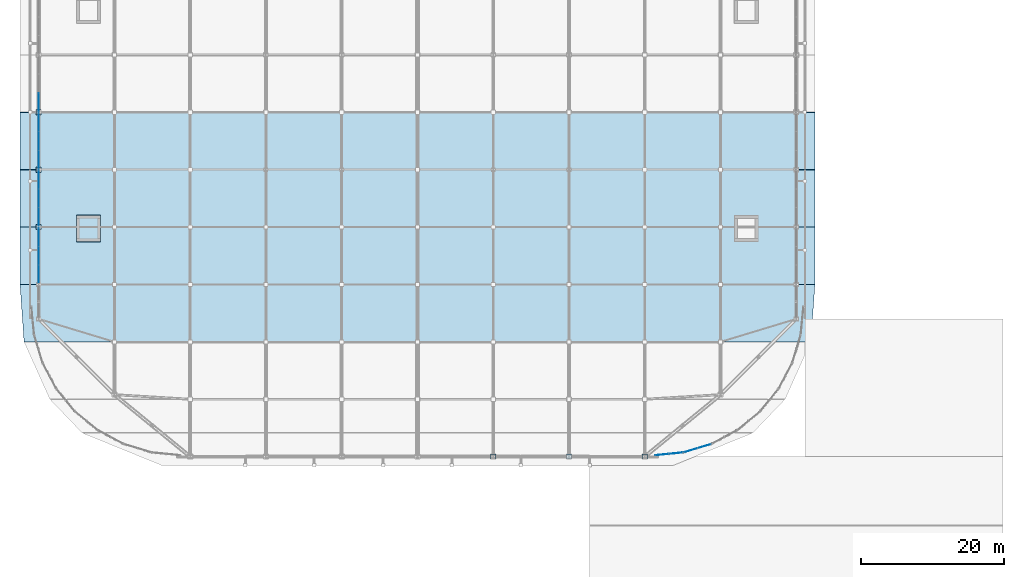
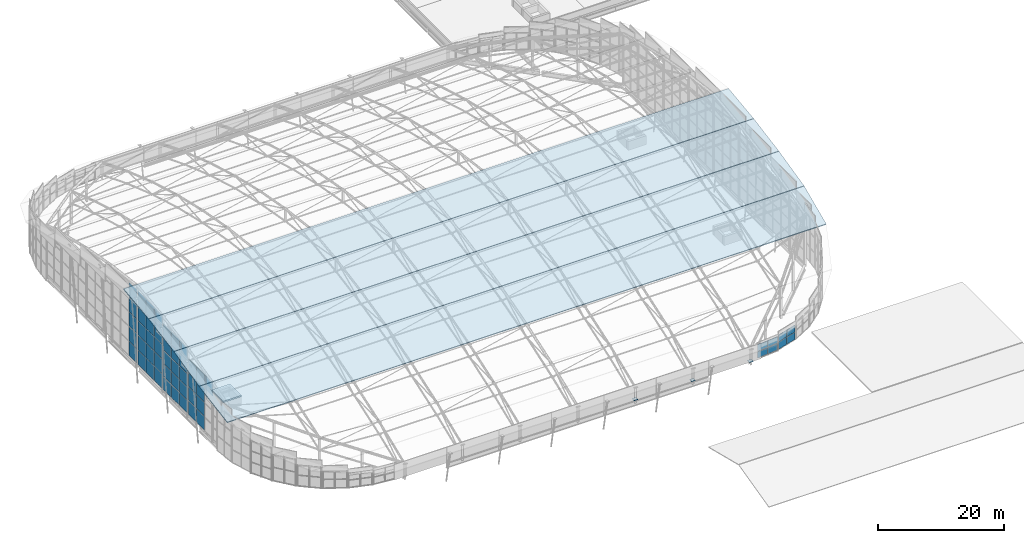
# One storey, part 33 of 42: 58 plates, 5 slabs, 7 elements without a shape of their own.
"""IFC4 building model written with IfcOpenShell, lengths in metres."""

from ifc_helpers import new_model, si_unit, direction, frame, origin, origin_2d, place, context, subcontext, project, spatial, polyline, rectangle, outline, extrude, material, layer, layer_set, type_object, element, aggregate, save


model = new_model("IFC4")

# Units and contexts
model_context = context("Model", 3, precision=1e-05, world=origin(), true_north=direction((0.0, 1.0)))
body_context = subcontext(model_context, "Body", "Model", "MODEL_VIEW")
ifc_project = project(units=[si_unit("LENGTHUNIT", "METRE"), si_unit("AREAUNIT", "SQUARE_METRE"), si_unit("VOLUMEUNIT", "CUBIC_METRE"), si_unit("PLANEANGLEUNIT", "RADIAN"), si_unit("MASSUNIT", "GRAM", prefix="KILO")], contexts=[model_context])

# Site, building, storey
site_placement = place(None, origin())
site = spatial("IfcSite", under=ifc_project, at=site_placement, CompositionType="ELEMENT")
building_placement = place(site_placement, origin())
building = spatial("IfcBuilding", under=site, at=building_placement, Name="Caelomonte Colonnade Arena", CompositionType="ELEMENT")
storey_placement = place(building_placement, frame((0.0, 0.0, 28.199951171875)))
storey = spatial("IfcBuildingStorey", under=building, at=storey_placement, Name="RF", CompositionType="ELEMENT", Elevation=28.199951171875)

# Curtain wall, plates
ifc_material_1 = material(Name="Bronze anodised aluminium and low-E glazing", Category="aluminium")
ifc_layer_1 = layer(ifc_material_1, 0.179931640625)
ifc_layer_set_1 = layer_set([ifc_layer_1], Name="Bronze anodised aluminium and low-E glazing")
curtain_wall_type_1 = type_object("IfcCurtainWallType", Name="ENV-CW-CW-TYMP-02", PredefinedType="USERDEFINED", material=ifc_layer_set_1)
curtain_wall_1_placement = place(storey_placement, origin())
curtain_wall_1 = element("IfcCurtainWall", 1, at=curtain_wall_1_placement, inside=storey, type_object=curtain_wall_type_1, Name="Barrel arch W clerestory tympanum curtain wall 2", ObjectType="UNITIZED CURTAIN WALL", PredefinedType="USERDEFINED")
ifc_material_2 = material(Name="Solar-control bronze low-E double glazing", Category="glass")
ifc_layer_2 = layer(ifc_material_2, 0.035888671875)
ifc_layer_set_2 = layer_set([ifc_layer_2], Name="Solar-control bronze low-E double glazing")
plate_type_1 = type_object("IfcPlateType", Name="ENV-CW-PAN36", PredefinedType="CURTAIN_PANEL", material=ifc_layer_set_2)
plate_1_placement = place(storey_placement, frame((57.60009765625, 49.7958984375, -0.079833984375), z_axis=(0.0, 0.0, 1.0), x_axis=(0.0, -1.0, 0.0)))
plate_1 = element("IfcPlate", 2, at=plate_1_placement, type_object=plate_type_1, Name="CW-TYMP-02 panel 1.1", PredefinedType="CURTAIN_PANEL", context=body_context, shape_type="SweptSolid", body=[
    extrude(rectangle(XDim=2.50830078125, YDim=0.035888671875, at=origin_2d()), origin(), (0.0, 0.0, 1.0), 2.63330078125),
])
plate_2_placement = place(storey_placement, frame((57.60009765625, 49.7958984375, 2.62353515625), z_axis=(0.0, 0.0, 1.0), x_axis=(0.0, -1.0, 0.0)))
plate_2 = element("IfcPlate", 3, at=plate_2_placement, type_object=plate_type_1, Name="CW-TYMP-02 panel 1.2", PredefinedType="CURTAIN_PANEL", context=body_context, shape_type="SweptSolid", body=[
    extrude(rectangle(XDim=2.50830078125, YDim=0.035888671875, at=origin_2d()), origin(), (0.0, 0.0, 1.0), 2.668212890625),
])
plate_3_placement = place(storey_placement, frame((57.60009765625, 49.7958984375, 5.361328125), z_axis=(0.0, 0.0, 1.0), x_axis=(0.0, -1.0, 0.0)))
plate_3 = element("IfcPlate", 4, at=plate_3_placement, type_object=plate_type_1, Name="CW-TYMP-02 panel 1.3", PredefinedType="CURTAIN_PANEL", context=body_context, shape_type="SweptSolid", body=[
    extrude(rectangle(XDim=2.50830078125, YDim=0.035888671875, at=origin_2d()), origin(), (0.0, 0.0, 1.0), 2.668212890625),
])
plate_4_placement = place(storey_placement, frame((57.60009765625, 49.7958984375, 8.099853515625), z_axis=(0.0, 0.0, 1.0), x_axis=(0.0, -1.0, 0.0)))
plate_4 = element("IfcPlate", 5, at=plate_4_placement, type_object=plate_type_1, Name="CW-TYMP-02 panel 1.4", PredefinedType="CURTAIN_PANEL", context=body_context, shape_type="SweptSolid", body=[
    extrude(rectangle(XDim=2.50830078125, YDim=0.035888671875, at=origin_2d()), origin(), (0.0, 0.0, 1.0), 2.63330078125),
])
plate_5_placement = place(storey_placement, frame((57.60009765625, 47.199951171875, -0.079833984375), z_axis=(0.0, 0.0, 1.0), x_axis=(0.0, -1.0, 0.0)))
plate_5 = element("IfcPlate", 6, at=plate_5_placement, type_object=plate_type_1, Name="CW-TYMP-02 panel 2.1", PredefinedType="CURTAIN_PANEL", context=body_context, shape_type="SweptSolid", body=[
    extrude(rectangle(XDim=2.543212890625, YDim=0.035888671875, at=origin_2d()), origin(), (0.0, 0.0, 1.0), 2.63330078125),
])
plate_6_placement = place(storey_placement, frame((57.60009765625, 47.199951171875, 2.62353515625), z_axis=(0.0, 0.0, 1.0), x_axis=(0.0, -1.0, 0.0)))
plate_6 = element("IfcPlate", 7, at=plate_6_placement, type_object=plate_type_1, Name="CW-TYMP-02 panel 2.2", PredefinedType="CURTAIN_PANEL", context=body_context, shape_type="SweptSolid", body=[
    extrude(rectangle(XDim=2.543212890625, YDim=0.035888671875, at=origin_2d()), origin(), (0.0, 0.0, 1.0), 2.668212890625),
])
plate_7_placement = place(storey_placement, frame((57.60009765625, 47.199951171875, 5.361328125), z_axis=(0.0, 0.0, 1.0), x_axis=(0.0, -1.0, 0.0)))
plate_7 = element("IfcPlate", 8, at=plate_7_placement, type_object=plate_type_1, Name="CW-TYMP-02 panel 2.3", PredefinedType="CURTAIN_PANEL", context=body_context, shape_type="SweptSolid", body=[
    extrude(rectangle(XDim=2.543212890625, YDim=0.035888671875, at=origin_2d()), origin(), (0.0, 0.0, 1.0), 2.668212890625),
])
plate_8_placement = place(storey_placement, frame((57.60009765625, 47.199951171875, 8.099853515625), z_axis=(0.0, 0.0, 1.0), x_axis=(0.0, -1.0, 0.0)))
plate_8 = element("IfcPlate", 9, at=plate_8_placement, type_object=plate_type_1, Name="CW-TYMP-02 panel 2.4", PredefinedType="CURTAIN_PANEL", context=body_context, shape_type="SweptSolid", body=[
    extrude(rectangle(XDim=2.543212890625, YDim=0.035888671875, at=origin_2d()), origin(), (0.0, 0.0, 1.0), 2.63330078125),
])
plate_9_placement = place(storey_placement, frame((57.60009765625, 44.604248046875, 8.099853515625), z_axis=(0.0, 0.0, 1.0), x_axis=(0.0, -1.0, 0.0)))
plate_9 = element("IfcPlate", 10, at=plate_9_placement, type_object=plate_type_1, Name="CW-TYMP-02 panel 3.4", PredefinedType="CURTAIN_PANEL", context=body_context, shape_type="SweptSolid", body=[
    extrude(rectangle(XDim=2.50830078125, YDim=0.035888671875, at=origin_2d()), origin(), (0.0, 0.0, 1.0), 2.63330078125),
])
aggregate(curtain_wall_1, [plate_1, plate_2, plate_3, plate_4, plate_5, plate_6, plate_7, plate_8, plate_9])

ifc_layer_3 = layer(ifc_material_1, 0.179931640625)
ifc_layer_set_3 = layer_set([ifc_layer_3], Name="Bronze anodised aluminium and low-E glazing")
curtain_wall_type_2 = type_object("IfcCurtainWallType", Name="ENV-CW-CW-TYMP-03", PredefinedType="USERDEFINED", material=ifc_layer_set_3)
curtain_wall_2_placement = place(storey_placement, origin())
curtain_wall_2 = element("IfcCurtainWall", 11, at=curtain_wall_2_placement, inside=storey, type_object=curtain_wall_type_2, Name="Barrel arch W clerestory tympanum curtain wall 3", ObjectType="UNITIZED CURTAIN WALL", PredefinedType="USERDEFINED")
plate_10_placement = place(storey_placement, frame((57.60009765625, 57.7958984375, -0.080078125), z_axis=(0.0, 0.0, 1.0), x_axis=(0.0, -1.0, 0.0)))
plate_10 = element("IfcPlate", 12, at=plate_10_placement, type_object=plate_type_1, Name="CW-TYMP-03 panel 1.1", PredefinedType="CURTAIN_PANEL", context=body_context, shape_type="SweptSolid", body=[
    extrude(rectangle(XDim=2.50830078125, YDim=0.035888671875, at=origin_2d()), origin(), (0.0, 0.0, 1.0), 2.462158203125),
])
plate_11_placement = place(storey_placement, frame((57.60009765625, 57.7958984375, 2.4521484375), z_axis=(0.0, 0.0, 1.0), x_axis=(0.0, -1.0, 0.0)))
plate_11 = element("IfcPlate", 13, at=plate_11_placement, type_object=plate_type_1, Name="CW-TYMP-03 panel 1.2", PredefinedType="CURTAIN_PANEL", context=body_context, shape_type="SweptSolid", body=[
    extrude(rectangle(XDim=2.50830078125, YDim=0.035888671875, at=origin_2d()), origin(), (0.0, 0.0, 1.0), 2.497314453125),
])
plate_12_placement = place(storey_placement, frame((57.60009765625, 57.7958984375, 5.01953125), z_axis=(0.0, 0.0, 1.0), x_axis=(0.0, -1.0, 0.0)))
plate_12 = element("IfcPlate", 14, at=plate_12_placement, type_object=plate_type_1, Name="CW-TYMP-03 panel 1.3", PredefinedType="CURTAIN_PANEL", context=body_context, shape_type="SweptSolid", body=[
    extrude(rectangle(XDim=2.50830078125, YDim=0.035888671875, at=origin_2d()), origin(), (0.0, 0.0, 1.0), 2.497314453125),
])
plate_13_placement = place(storey_placement, frame((57.60009765625, 57.7958984375, 7.58642578125), z_axis=(0.0, 0.0, 1.0), x_axis=(0.0, -1.0, 0.0)))
plate_13 = element("IfcPlate", 15, at=plate_13_placement, type_object=plate_type_1, Name="CW-TYMP-03 panel 1.4", PredefinedType="CURTAIN_PANEL", context=body_context, shape_type="SweptSolid", body=[
    extrude(rectangle(XDim=2.50830078125, YDim=0.035888671875, at=origin_2d()), origin(), (0.0, 0.0, 1.0), 2.497314453125),
])
plate_14_placement = place(storey_placement, frame((57.60009765625, 57.7958984375, 10.15380859375), z_axis=(0.0, 0.0, 1.0), x_axis=(0.0, -1.0, 0.0)))
plate_14 = element("IfcPlate", 16, at=plate_14_placement, type_object=plate_type_1, Name="CW-TYMP-03 panel 1.5", PredefinedType="CURTAIN_PANEL", context=body_context, shape_type="SweptSolid", body=[
    extrude(rectangle(XDim=2.50830078125, YDim=0.035888671875, at=origin_2d()), origin(), (0.0, 0.0, 1.0), 2.462158203125),
])
plate_15_placement = place(storey_placement, frame((57.60009765625, 55.199951171875, -0.080078125), z_axis=(0.0, 0.0, 1.0), x_axis=(0.0, -1.0, 0.0)))
plate_15 = element("IfcPlate", 17, at=plate_15_placement, type_object=plate_type_1, Name="CW-TYMP-03 panel 2.1", PredefinedType="CURTAIN_PANEL", context=body_context, shape_type="SweptSolid", body=[
    extrude(rectangle(XDim=2.543212890625, YDim=0.035888671875, at=origin_2d()), origin(), (0.0, 0.0, 1.0), 2.462158203125),
])
plate_16_placement = place(storey_placement, frame((57.60009765625, 55.199951171875, 2.4521484375), z_axis=(0.0, 0.0, 1.0), x_axis=(0.0, -1.0, 0.0)))
plate_16 = element("IfcPlate", 18, at=plate_16_placement, type_object=plate_type_1, Name="CW-TYMP-03 panel 2.2", PredefinedType="CURTAIN_PANEL", context=body_context, shape_type="SweptSolid", body=[
    extrude(rectangle(XDim=2.543212890625, YDim=0.035888671875, at=origin_2d()), origin(), (0.0, 0.0, 1.0), 2.497314453125),
])
plate_17_placement = place(storey_placement, frame((57.60009765625, 55.199951171875, 5.01953125), z_axis=(0.0, 0.0, 1.0), x_axis=(0.0, -1.0, 0.0)))
plate_17 = element("IfcPlate", 19, at=plate_17_placement, type_object=plate_type_1, Name="CW-TYMP-03 panel 2.3", PredefinedType="CURTAIN_PANEL", context=body_context, shape_type="SweptSolid", body=[
    extrude(rectangle(XDim=2.543212890625, YDim=0.035888671875, at=origin_2d()), origin(), (0.0, 0.0, 1.0), 2.497314453125),
])
plate_18_placement = place(storey_placement, frame((57.60009765625, 55.199951171875, 7.58642578125), z_axis=(0.0, 0.0, 1.0), x_axis=(0.0, -1.0, 0.0)))
plate_18 = element("IfcPlate", 20, at=plate_18_placement, type_object=plate_type_1, Name="CW-TYMP-03 panel 2.4", PredefinedType="CURTAIN_PANEL", context=body_context, shape_type="SweptSolid", body=[
    extrude(rectangle(XDim=2.543212890625, YDim=0.035888671875, at=origin_2d()), origin(), (0.0, 0.0, 1.0), 2.497314453125),
])
plate_19_placement = place(storey_placement, frame((57.60009765625, 55.199951171875, 10.15380859375), z_axis=(0.0, 0.0, 1.0), x_axis=(0.0, -1.0, 0.0)))
plate_19 = element("IfcPlate", 21, at=plate_19_placement, type_object=plate_type_1, Name="CW-TYMP-03 panel 2.5", PredefinedType="CURTAIN_PANEL", context=body_context, shape_type="SweptSolid", body=[
    extrude(rectangle(XDim=2.543212890625, YDim=0.035888671875, at=origin_2d()), origin(), (0.0, 0.0, 1.0), 2.462158203125),
])
plate_20_placement = place(storey_placement, frame((57.60009765625, 52.604248046875, -0.080078125), z_axis=(0.0, 0.0, 1.0), x_axis=(0.0, -1.0, 0.0)))
plate_20 = element("IfcPlate", 22, at=plate_20_placement, type_object=plate_type_1, Name="CW-TYMP-03 panel 3.1", PredefinedType="CURTAIN_PANEL", context=body_context, shape_type="SweptSolid", body=[
    extrude(rectangle(XDim=2.50830078125, YDim=0.035888671875, at=origin_2d()), origin(), (0.0, 0.0, 1.0), 2.462158203125),
])
plate_21_placement = place(storey_placement, frame((57.60009765625, 52.604248046875, 2.4521484375), z_axis=(0.0, 0.0, 1.0), x_axis=(0.0, -1.0, 0.0)))
plate_21 = element("IfcPlate", 23, at=plate_21_placement, type_object=plate_type_1, Name="CW-TYMP-03 panel 3.2", PredefinedType="CURTAIN_PANEL", context=body_context, shape_type="SweptSolid", body=[
    extrude(rectangle(XDim=2.50830078125, YDim=0.035888671875, at=origin_2d()), origin(), (0.0, 0.0, 1.0), 2.497314453125),
])
plate_22_placement = place(storey_placement, frame((57.60009765625, 52.604248046875, 5.01953125), z_axis=(0.0, 0.0, 1.0), x_axis=(0.0, -1.0, 0.0)))
plate_22 = element("IfcPlate", 24, at=plate_22_placement, type_object=plate_type_1, Name="CW-TYMP-03 panel 3.3", PredefinedType="CURTAIN_PANEL", context=body_context, shape_type="SweptSolid", body=[
    extrude(rectangle(XDim=2.50830078125, YDim=0.035888671875, at=origin_2d()), origin(), (0.0, 0.0, 1.0), 2.497314453125),
])
plate_23_placement = place(storey_placement, frame((57.60009765625, 52.604248046875, 7.58642578125), z_axis=(0.0, 0.0, 1.0), x_axis=(0.0, -1.0, 0.0)))
plate_23 = element("IfcPlate", 25, at=plate_23_placement, type_object=plate_type_1, Name="CW-TYMP-03 panel 3.4", PredefinedType="CURTAIN_PANEL", context=body_context, shape_type="SweptSolid", body=[
    extrude(rectangle(XDim=2.50830078125, YDim=0.035888671875, at=origin_2d()), origin(), (0.0, 0.0, 1.0), 2.497314453125),
])
plate_24_placement = place(storey_placement, frame((57.60009765625, 52.604248046875, 10.15380859375), z_axis=(0.0, 0.0, 1.0), x_axis=(0.0, -1.0, 0.0)))
plate_24 = element("IfcPlate", 26, at=plate_24_placement, type_object=plate_type_1, Name="CW-TYMP-03 panel 3.5", PredefinedType="CURTAIN_PANEL", context=body_context, shape_type="SweptSolid", body=[
    extrude(rectangle(XDim=2.50830078125, YDim=0.035888671875, at=origin_2d()), origin(), (0.0, 0.0, 1.0), 2.462158203125),
])
aggregate(curtain_wall_2, [plate_10, plate_11, plate_12, plate_13, plate_14, plate_15, plate_16, plate_17, plate_18, plate_19, plate_20, plate_21, plate_22, plate_23, plate_24])

ifc_layer_4 = layer(ifc_material_1, 0.179931640625)
ifc_layer_set_4 = layer_set([ifc_layer_4], Name="Bronze anodised aluminium and low-E glazing")
curtain_wall_type_3 = type_object("IfcCurtainWallType", Name="ENV-CW-CW-TYMP-04", PredefinedType="USERDEFINED", material=ifc_layer_set_4)
curtain_wall_3_placement = place(storey_placement, origin())
curtain_wall_3 = element("IfcCurtainWall", 27, at=curtain_wall_3_placement, inside=storey, type_object=curtain_wall_type_3, Name="Barrel arch W clerestory tympanum curtain wall 4", ObjectType="UNITIZED CURTAIN WALL", PredefinedType="USERDEFINED")
plate_25_placement = place(storey_placement, frame((57.60009765625, 65.7958984375, -0.079833984375), z_axis=(0.0, 0.0, 1.0), x_axis=(0.0, -1.0, 0.0)))
plate_25 = element("IfcPlate", 28, at=plate_25_placement, type_object=plate_type_1, Name="CW-TYMP-04 panel 1.1", PredefinedType="CURTAIN_PANEL", context=body_context, shape_type="SweptSolid", body=[
    extrude(rectangle(XDim=2.50830078125, YDim=0.035888671875, at=origin_2d()), origin(), (0.0, 0.0, 1.0), 2.751953125),
])
plate_26_placement = place(storey_placement, frame((57.60009765625, 65.7958984375, 2.741943359375), z_axis=(0.0, 0.0, 1.0), x_axis=(0.0, -1.0, 0.0)))
plate_26 = element("IfcPlate", 29, at=plate_26_placement, type_object=plate_type_1, Name="CW-TYMP-04 panel 1.2", PredefinedType="CURTAIN_PANEL", context=body_context, shape_type="SweptSolid", body=[
    extrude(rectangle(XDim=2.50830078125, YDim=0.035888671875, at=origin_2d()), origin(), (0.0, 0.0, 1.0), 2.787109375),
])
plate_27_placement = place(storey_placement, frame((57.60009765625, 65.7958984375, 5.598876953125), z_axis=(0.0, 0.0, 1.0), x_axis=(0.0, -1.0, 0.0)))
plate_27 = element("IfcPlate", 30, at=plate_27_placement, type_object=plate_type_1, Name="CW-TYMP-04 panel 1.3", PredefinedType="CURTAIN_PANEL", context=body_context, shape_type="SweptSolid", body=[
    extrude(rectangle(XDim=2.50830078125, YDim=0.035888671875, at=origin_2d()), origin(), (0.0, 0.0, 1.0), 2.787109375),
])
plate_28_placement = place(storey_placement, frame((57.60009765625, 65.7958984375, 8.4560546875), z_axis=(0.0, 0.0, 1.0), x_axis=(0.0, -1.0, 0.0)))
plate_28 = element("IfcPlate", 31, at=plate_28_placement, type_object=plate_type_1, Name="CW-TYMP-04 panel 1.4", PredefinedType="CURTAIN_PANEL", context=body_context, shape_type="SweptSolid", body=[
    extrude(rectangle(XDim=2.50830078125, YDim=0.035888671875, at=origin_2d()), origin(), (0.0, 0.0, 1.0), 2.787109375),
])
plate_29_placement = place(storey_placement, frame((57.60009765625, 65.7958984375, 11.31298828125), z_axis=(0.0, 0.0, 1.0), x_axis=(0.0, -1.0, 0.0)))
plate_29 = element("IfcPlate", 32, at=plate_29_placement, type_object=plate_type_1, Name="CW-TYMP-04 panel 1.5", PredefinedType="CURTAIN_PANEL", context=body_context, shape_type="SweptSolid", body=[
    extrude(rectangle(XDim=2.50830078125, YDim=0.035888671875, at=origin_2d()), origin(), (0.0, 0.0, 1.0), 2.751953125),
])
plate_30_placement = place(storey_placement, frame((57.60009765625, 63.199951171875, -0.079833984375), z_axis=(0.0, 0.0, 1.0), x_axis=(0.0, -1.0, 0.0)))
plate_30 = element("IfcPlate", 33, at=plate_30_placement, type_object=plate_type_1, Name="CW-TYMP-04 panel 2.1", PredefinedType="CURTAIN_PANEL", context=body_context, shape_type="SweptSolid", body=[
    extrude(rectangle(XDim=2.543212890625, YDim=0.035888671875, at=origin_2d()), origin(), (0.0, 0.0, 1.0), 2.751953125),
])
plate_31_placement = place(storey_placement, frame((57.60009765625, 63.199951171875, 2.741943359375), z_axis=(0.0, 0.0, 1.0), x_axis=(0.0, -1.0, 0.0)))
plate_31 = element("IfcPlate", 34, at=plate_31_placement, type_object=plate_type_1, Name="CW-TYMP-04 panel 2.2", PredefinedType="CURTAIN_PANEL", context=body_context, shape_type="SweptSolid", body=[
    extrude(rectangle(XDim=2.543212890625, YDim=0.035888671875, at=origin_2d()), origin(), (0.0, 0.0, 1.0), 2.787109375),
])
plate_32_placement = place(storey_placement, frame((57.60009765625, 63.199951171875, 5.598876953125), z_axis=(0.0, 0.0, 1.0), x_axis=(0.0, -1.0, 0.0)))
plate_32 = element("IfcPlate", 35, at=plate_32_placement, type_object=plate_type_1, Name="CW-TYMP-04 panel 2.3", PredefinedType="CURTAIN_PANEL", context=body_context, shape_type="SweptSolid", body=[
    extrude(rectangle(XDim=2.543212890625, YDim=0.035888671875, at=origin_2d()), origin(), (0.0, 0.0, 1.0), 2.787109375),
])
plate_33_placement = place(storey_placement, frame((57.60009765625, 63.199951171875, 8.4560546875), z_axis=(0.0, 0.0, 1.0), x_axis=(0.0, -1.0, 0.0)))
plate_33 = element("IfcPlate", 36, at=plate_33_placement, type_object=plate_type_1, Name="CW-TYMP-04 panel 2.4", PredefinedType="CURTAIN_PANEL", context=body_context, shape_type="SweptSolid", body=[
    extrude(rectangle(XDim=2.543212890625, YDim=0.035888671875, at=origin_2d()), origin(), (0.0, 0.0, 1.0), 2.787109375),
])
plate_34_placement = place(storey_placement, frame((57.60009765625, 63.199951171875, 11.31298828125), z_axis=(0.0, 0.0, 1.0), x_axis=(0.0, -1.0, 0.0)))
plate_34 = element("IfcPlate", 37, at=plate_34_placement, type_object=plate_type_1, Name="CW-TYMP-04 panel 2.5", PredefinedType="CURTAIN_PANEL", context=body_context, shape_type="SweptSolid", body=[
    extrude(rectangle(XDim=2.543212890625, YDim=0.035888671875, at=origin_2d()), origin(), (0.0, 0.0, 1.0), 2.751953125),
])
plate_35_placement = place(storey_placement, frame((57.60009765625, 60.604248046875, -0.079833984375), z_axis=(0.0, 0.0, 1.0), x_axis=(0.0, -1.0, 0.0)))
plate_35 = element("IfcPlate", 38, at=plate_35_placement, type_object=plate_type_1, Name="CW-TYMP-04 panel 3.1", PredefinedType="CURTAIN_PANEL", context=body_context, shape_type="SweptSolid", body=[
    extrude(rectangle(XDim=2.50830078125, YDim=0.035888671875, at=origin_2d()), origin(), (0.0, 0.0, 1.0), 2.751953125),
])
plate_36_placement = place(storey_placement, frame((57.60009765625, 60.604248046875, 2.741943359375), z_axis=(0.0, 0.0, 1.0), x_axis=(0.0, -1.0, 0.0)))
plate_36 = element("IfcPlate", 39, at=plate_36_placement, type_object=plate_type_1, Name="CW-TYMP-04 panel 3.2", PredefinedType="CURTAIN_PANEL", context=body_context, shape_type="SweptSolid", body=[
    extrude(rectangle(XDim=2.50830078125, YDim=0.035888671875, at=origin_2d()), origin(), (0.0, 0.0, 1.0), 2.787109375),
])
plate_37_placement = place(storey_placement, frame((57.60009765625, 60.604248046875, 5.598876953125), z_axis=(0.0, 0.0, 1.0), x_axis=(0.0, -1.0, 0.0)))
plate_37 = element("IfcPlate", 40, at=plate_37_placement, type_object=plate_type_1, Name="CW-TYMP-04 panel 3.3", PredefinedType="CURTAIN_PANEL", context=body_context, shape_type="SweptSolid", body=[
    extrude(rectangle(XDim=2.50830078125, YDim=0.035888671875, at=origin_2d()), origin(), (0.0, 0.0, 1.0), 2.787109375),
])
plate_38_placement = place(storey_placement, frame((57.60009765625, 60.604248046875, 8.4560546875), z_axis=(0.0, 0.0, 1.0), x_axis=(0.0, -1.0, 0.0)))
plate_38 = element("IfcPlate", 41, at=plate_38_placement, type_object=plate_type_1, Name="CW-TYMP-04 panel 3.4", PredefinedType="CURTAIN_PANEL", context=body_context, shape_type="SweptSolid", body=[
    extrude(rectangle(XDim=2.50830078125, YDim=0.035888671875, at=origin_2d()), origin(), (0.0, 0.0, 1.0), 2.787109375),
])
plate_39_placement = place(storey_placement, frame((57.60009765625, 60.604248046875, 11.31298828125), z_axis=(0.0, 0.0, 1.0), x_axis=(0.0, -1.0, 0.0)))
plate_39 = element("IfcPlate", 42, at=plate_39_placement, type_object=plate_type_1, Name="CW-TYMP-04 panel 3.5", PredefinedType="CURTAIN_PANEL", context=body_context, shape_type="SweptSolid", body=[
    extrude(rectangle(XDim=2.50830078125, YDim=0.035888671875, at=origin_2d()), origin(), (0.0, 0.0, 1.0), 2.751953125),
])
aggregate(curtain_wall_3, [plate_25, plate_26, plate_27, plate_28, plate_29, plate_30, plate_31, plate_32, plate_33, plate_34, plate_35, plate_36, plate_37, plate_38, plate_39])

ifc_layer_5 = layer(ifc_material_1, 0.179931640625)
ifc_layer_set_5 = layer_set([ifc_layer_5], Name="Bronze anodised aluminium and low-E glazing")
curtain_wall_type_4 = type_object("IfcCurtainWallType", Name="ENV-CW-CW-TYMP-05", PredefinedType="USERDEFINED", material=ifc_layer_set_5)
curtain_wall_4_placement = place(storey_placement, origin())
curtain_wall_4 = element("IfcCurtainWall", 43, at=curtain_wall_4_placement, inside=storey, type_object=curtain_wall_type_4, Name="Barrel arch W clerestory tympanum curtain wall 5", ObjectType="UNITIZED CURTAIN WALL", PredefinedType="USERDEFINED")
plate_40_placement = place(storey_placement, frame((57.60009765625, 68.604248046875, -0.079833984375), z_axis=(0.0, 0.0, 1.0), x_axis=(0.0, -1.0, 0.0)))
plate_40 = element("IfcPlate", 44, at=plate_40_placement, type_object=plate_type_1, Name="CW-TYMP-05 panel 3.1", PredefinedType="CURTAIN_PANEL", context=body_context, shape_type="SweptSolid", body=[
    extrude(rectangle(XDim=2.50830078125, YDim=0.035888671875, at=origin_2d()), origin(), (0.0, 0.0, 1.0), 2.751953125),
])
plate_41_placement = place(storey_placement, frame((57.60009765625, 68.604248046875, 2.741943359375), z_axis=(0.0, 0.0, 1.0), x_axis=(0.0, -1.0, 0.0)))
plate_41 = element("IfcPlate", 45, at=plate_41_placement, type_object=plate_type_1, Name="CW-TYMP-05 panel 3.2", PredefinedType="CURTAIN_PANEL", context=body_context, shape_type="SweptSolid", body=[
    extrude(rectangle(XDim=2.50830078125, YDim=0.035888671875, at=origin_2d()), origin(), (0.0, 0.0, 1.0), 2.787109375),
])
plate_42_placement = place(storey_placement, frame((57.60009765625, 68.604248046875, 5.598876953125), z_axis=(0.0, 0.0, 1.0), x_axis=(0.0, -1.0, 0.0)))
plate_42 = element("IfcPlate", 46, at=plate_42_placement, type_object=plate_type_1, Name="CW-TYMP-05 panel 3.3", PredefinedType="CURTAIN_PANEL", context=body_context, shape_type="SweptSolid", body=[
    extrude(rectangle(XDim=2.50830078125, YDim=0.035888671875, at=origin_2d()), origin(), (0.0, 0.0, 1.0), 2.787109375),
])
plate_43_placement = place(storey_placement, frame((57.60009765625, 68.604248046875, 8.4560546875), z_axis=(0.0, 0.0, 1.0), x_axis=(0.0, -1.0, 0.0)))
plate_43 = element("IfcPlate", 47, at=plate_43_placement, type_object=plate_type_1, Name="CW-TYMP-05 panel 3.4", PredefinedType="CURTAIN_PANEL", context=body_context, shape_type="SweptSolid", body=[
    extrude(rectangle(XDim=2.50830078125, YDim=0.035888671875, at=origin_2d()), origin(), (0.0, 0.0, 1.0), 2.787109375),
])
plate_44_placement = place(storey_placement, frame((57.60009765625, 68.604248046875, 11.31298828125), z_axis=(0.0, 0.0, 1.0), x_axis=(0.0, -1.0, 0.0)))
plate_44 = element("IfcPlate", 48, at=plate_44_placement, type_object=plate_type_1, Name="CW-TYMP-05 panel 3.5", PredefinedType="CURTAIN_PANEL", context=body_context, shape_type="SweptSolid", body=[
    extrude(rectangle(XDim=2.50830078125, YDim=0.035888671875, at=origin_2d()), origin(), (0.0, 0.0, 1.0), 2.751953125),
])
aggregate(curtain_wall_4, [plate_40, plate_41, plate_42, plate_43, plate_44])

ifc_layer_6 = layer(ifc_material_1, 0.179931640625)
ifc_layer_set_6 = layer_set([ifc_layer_6], Name="Bronze anodised aluminium and low-E glazing")
curtain_wall_type_5 = type_object("IfcCurtainWallType", Name="ENV-CW-CW-TYMPC-01-28", PredefinedType="USERDEFINED", material=ifc_layer_set_6)
curtain_wall_5_placement = place(storey_placement, origin())
curtain_wall_5 = element("IfcCurtainWall", 49, at=curtain_wall_5_placement, inside=storey, type_object=curtain_wall_type_5, Name="Barrel arch rounded corner clerestory curtain wall 1", ObjectType="UNITIZED CURTAIN WALL", PredefinedType="USERDEFINED")
plate_45_placement = place(storey_placement, frame((144.457763671875, 19.484130859375, -0.079833984375), z_axis=(0.0, 0.0, 1.0), x_axis=(0.995183320356, 0.098031417843, 0.0)))
plate_45 = element("IfcPlate", 50, at=plate_45_placement, type_object=plate_type_1, Name="CW-TYMPC-01-28 panel 1.1", PredefinedType="CURTAIN_PANEL", context=body_context, shape_type="SweptSolid", body=[
    extrude(rectangle(XDim=1.8857421875, YDim=0.035888671875, at=origin_2d()), origin(), (0.0, 0.0, 1.0), 1.283203125),
])
plate_46_placement = place(storey_placement, frame((144.457763671875, 19.484130859375, 1.273193359375), z_axis=(0.0, 0.0, 1.0), x_axis=(0.995183320356, 0.098031417843, 0.0)))
plate_46 = element("IfcPlate", 51, at=plate_46_placement, type_object=plate_type_1, Name="CW-TYMPC-01-28 panel 1.2", PredefinedType="CURTAIN_PANEL", context=body_context, shape_type="SweptSolid", body=[
    extrude(rectangle(XDim=1.8857421875, YDim=0.035888671875, at=origin_2d()), origin(), (0.0, 0.0, 1.0), 1.283203125),
])
plate_47_placement = place(storey_placement, frame((146.404052734375, 19.676025390625, -0.079833984375), z_axis=(0.0, 0.0, 1.0), x_axis=(0.995183320356, 0.098031417843, 0.0)))
plate_47 = element("IfcPlate", 52, at=plate_47_placement, type_object=plate_type_1, Name="CW-TYMPC-01-28 panel 2.1", PredefinedType="CURTAIN_PANEL", context=body_context, shape_type="SweptSolid", body=[
    extrude(rectangle(XDim=1.8857421875, YDim=0.035888671875, at=origin_2d()), origin(), (0.0, 0.0, 1.0), 1.283203125),
])
plate_48_placement = place(storey_placement, frame((146.404052734375, 19.676025390625, 1.273193359375), z_axis=(0.0, 0.0, 1.0), x_axis=(0.995183320356, 0.098031417843, 0.0)))
plate_48 = element("IfcPlate", 53, at=plate_48_placement, type_object=plate_type_1, Name="CW-TYMPC-01-28 panel 2.2", PredefinedType="CURTAIN_PANEL", context=body_context, shape_type="SweptSolid", body=[
    extrude(rectangle(XDim=1.8857421875, YDim=0.035888671875, at=origin_2d()), origin(), (0.0, 0.0, 1.0), 1.283203125),
])
aggregate(curtain_wall_5, [plate_45, plate_46, plate_47, plate_48])

ifc_layer_7 = layer(ifc_material_1, 0.179931640625)
ifc_layer_set_7 = layer_set([ifc_layer_7], Name="Bronze anodised aluminium and low-E glazing")
curtain_wall_type_6 = type_object("IfcCurtainWallType", Name="ENV-CW-CW-TYMPC-02-29", PredefinedType="USERDEFINED", material=ifc_layer_set_7)
curtain_wall_6_placement = place(storey_placement, origin())
curtain_wall_6 = element("IfcCurtainWall", 54, at=curtain_wall_6_placement, inside=storey, type_object=curtain_wall_type_6, Name="Barrel arch rounded corner clerestory curtain wall 2", ObjectType="UNITIZED CURTAIN WALL", PredefinedType="USERDEFINED")
plate_49_placement = place(storey_placement, frame((148.478759765625, 20.088623046875, -0.080078125), z_axis=(0.0, 0.0, 1.0), x_axis=(0.956945999811, 0.290266004632, 0.0)))
plate_49 = element("IfcPlate", 55, at=plate_49_placement, type_object=plate_type_1, Name="CW-TYMPC-02-29 panel 1.1", PredefinedType="CURTAIN_PANEL", context=body_context, shape_type="SweptSolid", body=[
    extrude(rectangle(XDim=1.8857421875, YDim=0.035888671875, at=origin_2d()), origin(), (0.0, 0.0, 1.0), 1.367919921875),
])
plate_50_placement = place(storey_placement, frame((148.478759765625, 20.088623046875, 1.35791015625), z_axis=(0.0, 0.0, 1.0), x_axis=(0.956945999811, 0.290266004632, 0.0)))
plate_50 = element("IfcPlate", 56, at=plate_50_placement, type_object=plate_type_1, Name="CW-TYMPC-02-29 panel 1.2", PredefinedType="CURTAIN_PANEL", context=body_context, shape_type="SweptSolid", body=[
    extrude(rectangle(XDim=1.8857421875, YDim=0.035888671875, at=origin_2d()), origin(), (0.0, 0.0, 1.0), 1.36767578125),
])
plate_51_placement = place(storey_placement, frame((150.350341796875, 20.65625, -0.080078125), z_axis=(0.0, 0.0, 1.0), x_axis=(0.956945999811, 0.290266004632, 0.0)))
plate_51 = element("IfcPlate", 57, at=plate_51_placement, type_object=plate_type_1, Name="CW-TYMPC-02-29 panel 2.1", PredefinedType="CURTAIN_PANEL", context=body_context, shape_type="SweptSolid", body=[
    extrude(rectangle(XDim=1.8857421875, YDim=0.035888671875, at=origin_2d()), origin(), (0.0, 0.0, 1.0), 1.367919921875),
])
plate_52_placement = place(storey_placement, frame((150.350341796875, 20.65625, 1.35791015625), z_axis=(0.0, 0.0, 1.0), x_axis=(0.956945999811, 0.290266004632, 0.0)))
plate_52 = element("IfcPlate", 58, at=plate_52_placement, type_object=plate_type_1, Name="CW-TYMPC-02-29 panel 2.2", PredefinedType="CURTAIN_PANEL", context=body_context, shape_type="SweptSolid", body=[
    extrude(rectangle(XDim=1.8857421875, YDim=0.035888671875, at=origin_2d()), origin(), (0.0, 0.0, 1.0), 1.36767578125),
])
aggregate(curtain_wall_6, [plate_49, plate_50, plate_51, plate_52])

# Plates
ifc_material_3 = material(Name="Steel ASTM A572 Grade 50", Category="steel")
ifc_layer_8 = layer(ifc_material_3, 0.0400390625)
ifc_layer_set_8 = layer_set([ifc_layer_8], Name="Steel ASTM A572 Grade 50")
plate_type_2 = type_object("IfcPlateType", Name="STR-PL-SN01", PredefinedType="USERDEFINED", material=ifc_layer_set_8)
for number, where, z_axis, x_axis, name in (
    (59, (57.60009765625, 51.199951171875, 10.115966796875), (0.0, 0.0, 1.0), (1.0, 0.0, 0.0), "Space frame bottom node cap plate (0,4)"),
    (60, (57.60009765625, 59.199951171875, 11.56494140625), (0.0, 0.0, 1.0), (1.0, 0.0, 0.0), "Space frame bottom node cap plate (0,5)"),
    (61, (57.60009765625, 67.199951171875, 12.580078125), (0.0, 0.0, 1.0), (1.0, 0.0, 0.0), "Space frame bottom node cap plate (0,6)"),
    (62, (120.9599609375, 19.199951171875, -0.02001953125), (0.0, 0.0, 1.0), (1.0, 0.0, 0.0), "Space frame bottom node cap plate (6,0)"),
    (63, (131.52001953125, 19.199951171875, -0.02001953125), (0.0, 0.0, 1.0), (1.0, 0.0, 0.0), "Space frame bottom node cap plate (7,0)"),
    (64, (142.080078125, 19.199951171875, -0.02001953125), (0.0, 0.0, 1.0), (1.0, 0.0, 0.0), "Space frame bottom node cap plate (8,0)"),
):
    element("IfcPlate", number, at=place(storey_placement, frame(where, z_axis=z_axis, x_axis=x_axis)), inside=storey, type_object=plate_type_2, Name=name, ObjectType="NODE CAP PLATE", PredefinedType="USERDEFINED", context=body_context, shape_type="SweptSolid", body=[
        extrude(rectangle(XDim=0.719970703125, YDim=0.719970703125, at=origin_2d()), origin(), (0.0, 0.0, 1.0), 0.0400390625),
    ])

# Roof, slabs
ifc_material_4 = material(Name="Steel ASTM A500 Grade C", Category="steel")
ifc_layer_9 = layer(ifc_material_4, 0.179931640625)
ifc_layer_set_9 = layer_set([ifc_layer_9], Name="Steel ASTM A500 Grade C")
roof_type = type_object("IfcRoofType", Name="ARC-RF-BARREL", PredefinedType="BARREL_ROOF", material=ifc_layer_set_9)
roof_placement = place(storey_placement, origin())
roof = element("IfcRoof", 65, at=roof_placement, inside=storey, type_object=roof_type, Name="Volume 2 barrel-arched arena roof", PredefinedType="BARREL_ROOF")
ifc_material_5 = material(Name="Precast concrete C40/50", Category="concrete")
ifc_layer_10 = layer(ifc_material_5, 0.179931640625)
ifc_layer_set_10 = layer_set([ifc_layer_10], Name="Precast concrete C40/50")
slab_type_1 = type_object("IfcSlabType", Name="STR-SL-ARCH18", PredefinedType="ROOF", material=ifc_layer_set_10)
slab_1_placement = place(storey_placement, frame((55.561767578125, 35.215087890625, 8.6953125), z_axis=(0.0, -0.278197387815, 0.960523926518), x_axis=(1.0, 0.0, 0.0)))
slab_1 = element("IfcSlab", 66, at=slab_1_placement, type_object=slab_type_1, Name="Barrel-arched arena roof deck panel 4", PredefinedType="ROOF", context=body_context, shape_type="SweptSolid", body=[
    extrude(outline(polyline([(0.0, 0.0), (109.676513671875, 0.0), (110.23828125, 8.297524385488273), (-0.561767578125, 8.297524385488273), (0.0, 0.0)])), origin(), (0.0, 0.0, -1.0), 0.179931640625),
])
slab_2_placement = place(storey_placement, frame((55.0, 43.215087890625, 11.011474609375), z_axis=(0.0, -0.22911910749, 0.973398394586), x_axis=(1.0, 0.0, 0.0)))
slab_2 = element("IfcSlab", 67, at=slab_2_placement, type_object=slab_type_1, Name="Barrel-arched arena roof deck panel 5", PredefinedType="ROOF", context=body_context, shape_type="SweptSolid", body=[
    extrude(outline(polyline([(0.0, 0.0), (110.800048828125, 0.0), (110.800048828125, 8.187778762993059), (0.0, 8.187778762993059), (0.0, 0.0)])), origin(), (0.0, 0.0, -1.0), 0.179931640625),
])
slab_3_placement = place(storey_placement, frame((55.0, 51.215087890625, 12.893798828125), z_axis=(0.0, -0.17823022988, 0.983988813532), x_axis=(1.0, 0.0, 0.0)))
slab_3 = element("IfcSlab", 68, at=slab_3_placement, type_object=slab_type_1, Name="Barrel-arched arena roof deck panel 6", PredefinedType="ROOF", context=body_context, shape_type="SweptSolid", body=[
    extrude(outline(polyline([(0.0, 0.0), (110.800048828125, 0.0), (110.800048828125, 8.099655802501466), (0.0, 8.099655802501466), (0.0, 0.0)])), origin(), (0.0, 0.0, -1.0), 0.179931640625),
])
slab_4_placement = place(storey_placement, frame((55.0, 59.215087890625, 14.342041015625), z_axis=(0.0, -0.125841040959, 0.99205041828), x_axis=(1.0, 0.0, 0.0)))
slab_4 = element("IfcSlab", 69, at=slab_4_placement, type_object=slab_type_1, Name="Barrel-arched arena roof deck panel 7", PredefinedType="ROOF", context=body_context, shape_type="SweptSolid", body=[
    extrude(outline(polyline([(0.0, 0.0), (110.800048828125, 0.0), (110.800048828125, 8.033836341644413), (0.0, 8.033836341644413), (0.0, 0.0)])), origin(), (0.0, 0.0, -1.0), 0.179931640625),
])
aggregate(roof, [slab_1, slab_2, slab_3, slab_4])

# Slab
ifc_material_6 = material(Name="Concrete C40/50", Category="concrete")
ifc_layer_11 = layer(ifc_material_6, 0.280029296875)
ifc_layer_set_11 = layer_set([ifc_layer_11], Name="Concrete C40/50")
slab_type_2 = type_object("IfcSlabType", Name="STR-SL-ROOF28", PredefinedType="ROOF", material=ifc_layer_set_11)
slab_5_placement = place(storey_placement, frame((0.0, 0.0, 1.449951171875)))
element("IfcSlab", 70, at=slab_5_placement, inside=storey, type_object=slab_type_2, Name="Core C1 lift overrun roof slab", PredefinedType="ROOF", context=body_context, shape_type="SweptSolid", body=[
    extrude(outline(polyline([(62.85009765625, 49.14990234375), (66.25, 49.14990234375), (66.25, 52.85009765625), (62.85009765625, 52.85009765625), (62.85009765625, 49.14990234375)])), origin(), (0.0, 0.0, 1.0), 0.280029296875),
])

save(model, "model.ifc")
